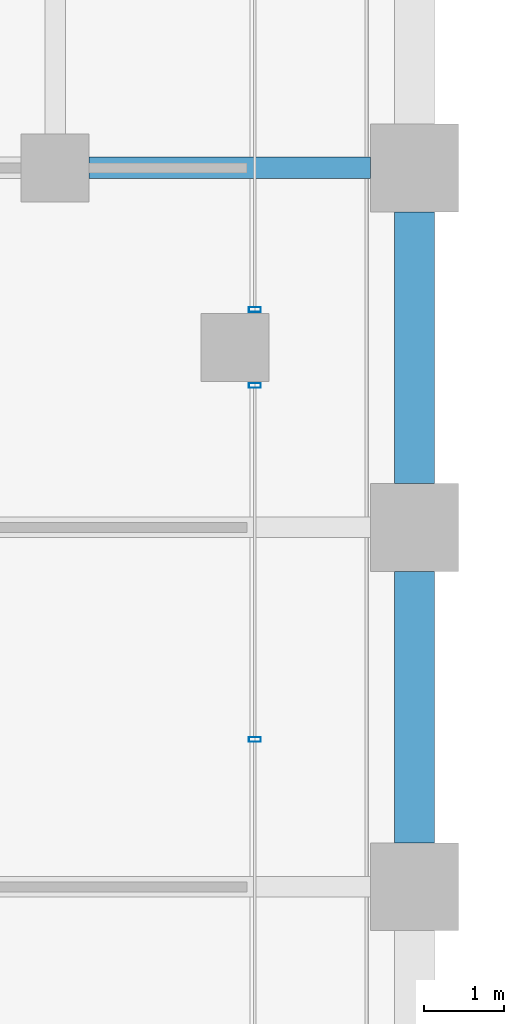
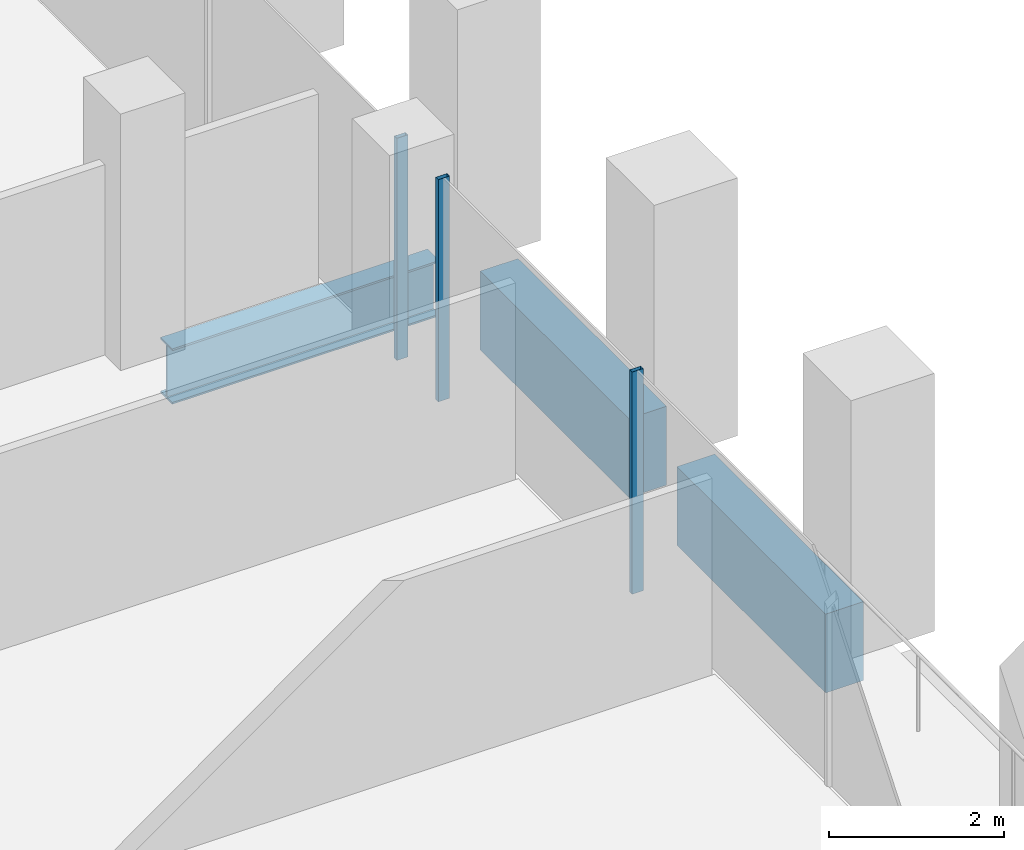
# One storey, part 22 of 56: 3 beams, 3 members, 2 elements without a shape of their own.
"""IFC4 building model written with IfcOpenShell, lengths in metres."""

from ifc_helpers import new_model, si_unit, direction, frame, origin, origin_2d, place, context, subcontext, project, spatial, rectangle, hollow_rectangle, i_section, extrude, material, material_profile, profile_set, type_object, element, aggregate, save


model = new_model("IFC4")

# Units and contexts
model_context = context("Model", 3, precision=1e-05, world=origin(), true_north=direction((0.0, 1.0)))
body_context = subcontext(model_context, "Body", "Model", "MODEL_VIEW")
ifc_project = project(units=[si_unit("LENGTHUNIT", "METRE"), si_unit("AREAUNIT", "SQUARE_METRE"), si_unit("VOLUMEUNIT", "CUBIC_METRE"), si_unit("PLANEANGLEUNIT", "RADIAN"), si_unit("MASSUNIT", "GRAM", prefix="KILO")], contexts=[model_context])

# Site, building, storey
site_placement = place(None, origin())
site = spatial("IfcSite", under=ifc_project, at=site_placement, CompositionType="ELEMENT")
building_placement = place(site_placement, origin())
building = spatial("IfcBuilding", under=site, at=building_placement, Name="Altepetl Exchange Towers", CompositionType="ELEMENT")
storey_placement = place(building_placement, frame((0.0, 0.0, 69.0)))
storey = spatial("IfcBuildingStorey", under=building, at=storey_placement, Name="L16", CompositionType="ELEMENT", Elevation=69.0)

# Beam
ifc_material_1 = material(Name="Steel S355", Category="steel")
ifc_material_profile_1 = material_profile(ifc_material_1, i_section(OverallWidth=0.26806640625, OverallDepth=0.77392578125, WebThickness=0.015380859375, FlangeThickness=0.025390625, at=origin_2d()), Name="W30X132")
ifc_profile_set_1 = profile_set([ifc_material_profile_1], Name="Steel S355")
beam_type_1 = type_object("IfcBeamType", Name="Girder W30X132", PredefinedType="BEAM", material=ifc_profile_set_1)
beam_placement = place(storey_placement, frame((67.925048828125, 58.5, -0.537109375), z_axis=(1.0, 0.0, 0.0), x_axis=(0.0, 1.0, 0.0)))
element("IfcBeam", 1, at=beam_placement, inside=storey, type_object=beam_type_1, Name="gd:A:L16:002", PredefinedType="BEAM", context=body_context, shape_type="SweptSolid", body=[
    extrude(i_section(OverallWidth=0.26806640625, OverallDepth=0.77392578125, WebThickness=0.015380859375, FlangeThickness=0.025390625, at=origin_2d()), origin(), (0.0, 0.0, 1.0), 3.52490234375),
])

# Curtain wall, members
ifc_material_2 = material(Name="Aluminium 6063-T6 glazing", Category="aluminium")
curtain_wall_type = type_object("IfcCurtainWallType", Name="Loggia glazing system", PredefinedType="NOTDEFINED", material=ifc_material_2)
curtain_wall_1_placement = place(storey_placement, origin())
curtain_wall_1 = element("IfcCurtainWall", 2, at=curtain_wall_1_placement, inside=storey, type_object=curtain_wall_type, Name="CW1 run", PredefinedType="NOTDEFINED")
ifc_material_3 = material(Name="Aluminium 6063-T6", Category="aluminium")
ifc_material_profile_2 = material_profile(ifc_material_3, hollow_rectangle(XDim=0.06005859375, YDim=0.14990234375, WallThickness=0.0029296875, at=origin_2d()), Name="Mullion 60x150 aluminium")
ifc_profile_set_2 = profile_set([ifc_material_profile_2], Name="Aluminium 6063-T6")
member_type = type_object("IfcMemberType", Name="Mullion 60x150 aluminium", PredefinedType="MULLION", material=ifc_profile_set_2)
member_1_placement = place(storey_placement, frame((70.0, 51.343994140625, 0.0), z_axis=(0.0, 0.0, 1.0), x_axis=(0.0, 1.0, 0.0)))
member_1 = element("IfcMember", 3, at=member_1_placement, type_object=member_type, Name="MU1 mullion", PredefinedType="MULLION", context=body_context, shape_type="SweptSolid", body=[
    extrude(hollow_rectangle(XDim=0.06005859375, YDim=0.14990234375, WallThickness=0.0029296875, at=origin_2d()), origin(), (0.0, 0.0, 1.0), 3.10009765625),
])
member_2_placement = place(storey_placement, frame((70.0, 55.77490234375, 0.0), z_axis=(0.0, 0.0, 1.0), x_axis=(0.0, 1.0, 0.0)))
member_2 = element("IfcMember", 4, at=member_2_placement, type_object=member_type, Name="MU1 mullion", PredefinedType="MULLION", context=body_context, shape_type="SweptSolid", body=[
    extrude(hollow_rectangle(XDim=0.06005859375, YDim=0.14990234375, WallThickness=0.0029296875, at=origin_2d()), origin(), (0.0, 0.0, 1.0), 3.10009765625),
])
aggregate(curtain_wall_1, [member_1, member_2])

# Curtain wall, member
curtain_wall_2_placement = place(storey_placement, origin())
curtain_wall_2 = element("IfcCurtainWall", 5, at=curtain_wall_2_placement, inside=storey, type_object=curtain_wall_type, Name="CW1 run", PredefinedType="NOTDEFINED")
member_3_placement = place(storey_placement, frame((70.0, 56.72509765625, 0.0), z_axis=(0.0, 0.0, 1.0), x_axis=(0.0, 1.0, 0.0)))
member_3 = element("IfcMember", 6, at=member_3_placement, type_object=member_type, Name="MU1 mullion", PredefinedType="MULLION", context=body_context, shape_type="SweptSolid", body=[
    extrude(hollow_rectangle(XDim=0.06005859375, YDim=0.14990234375, WallThickness=0.0029296875, at=origin_2d()), origin(), (0.0, 0.0, 1.0), 3.10009765625),
])
aggregate(curtain_wall_2, [member_3])

# Beams
ifc_material_4 = material(Name="Concrete C50/60 precast with cantera amarilla facing", Category="concrete")
ifc_material_profile_3 = material_profile(ifc_material_4, rectangle(XDim=0.5, YDim=1.10009765625, at=origin_2d()), Name="500 x 1100")
ifc_profile_set_3 = profile_set([ifc_material_profile_3], Name="Concrete C50/60 precast with cantera amarilla facing")
beam_type_2 = type_object("IfcBeamType", Name="Spandrel beam 500x1100 cantera amarilla", PredefinedType="SPANDREL", material=ifc_profile_set_3)
for number, where, z_axis, x_axis, name in (
    (7, (72.0, 50.050048828125, -0.699951171875), (0.0, 1.0, 0.0), (-1.0, 0.0, 0.0), "sp:A:L16:016"),
    (8, (72.0, 54.550048828125, -0.699951171875), (0.0, 1.0, 0.0), (-1.0, 0.0, 0.0), "sp:A:L16:017"),
):
    element("IfcBeam", number, at=place(storey_placement, frame(where, z_axis=z_axis, x_axis=x_axis)), inside=storey, type_object=beam_type_2, Name=name, PredefinedType="SPANDREL", context=body_context, shape_type="SweptSolid", body=[
        extrude(rectangle(XDim=0.5, YDim=1.10009765625, at=origin_2d()), origin(), (0.0, 0.0, 1.0), 3.39990234375),
    ])

save(model, "model.ifc")
